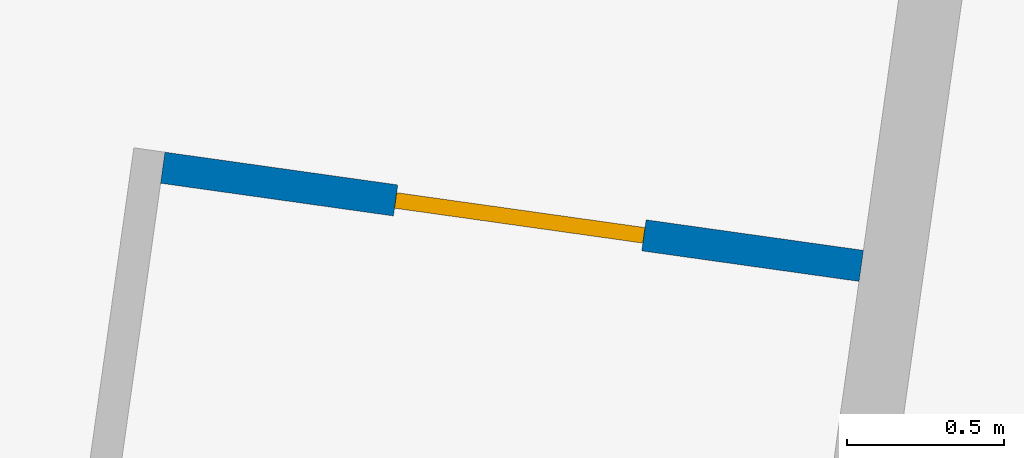
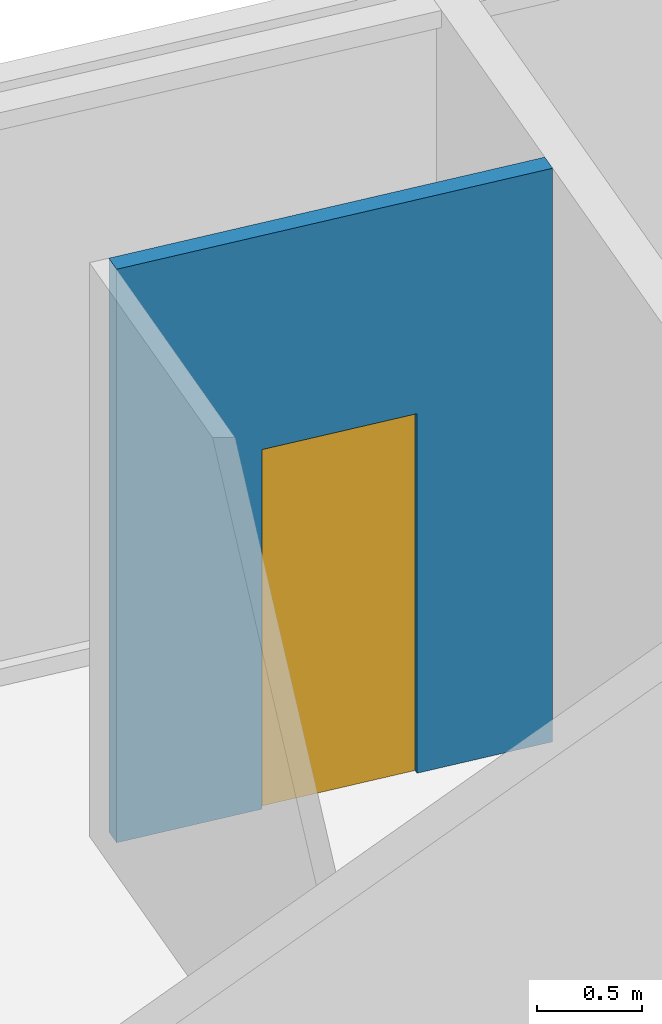
# One storey, part 18 of 25: 1 door, 1 wall, 1 opening.
"""IFC4 building model written with IfcOpenShell, lengths in metres."""

from ifc_helpers import new_model, si_unit, direction, frame, frame_2d, origin, place, context, subcontext, project, spatial, rectangle, extrude, material, layer, layer_set, type_object, element, fill, save


model = new_model("IFC4")

# Units and contexts
model_context = context("Model", 3, precision=1e-05, world=origin(), true_north=direction((0.0, 1.0)))
body_context = subcontext(model_context, "Body", "Model", "MODEL_VIEW")
ifc_project = project(units=[si_unit("LENGTHUNIT", "METRE"), si_unit("AREAUNIT", "SQUARE_METRE"), si_unit("VOLUMEUNIT", "CUBIC_METRE"), si_unit("PLANEANGLEUNIT", "RADIAN"), si_unit("MASSUNIT", "GRAM", prefix="KILO")], contexts=[model_context])

# Site, building, storey
site_placement = place(None, origin())
site = spatial("IfcSite", under=ifc_project, at=site_placement, CompositionType="ELEMENT")
building_placement = place(site_placement, origin())
building = spatial("IfcBuilding", under=site, at=building_placement, Name="Mirante Cascada Hotel Towers", CompositionType="ELEMENT")
storey_placement = place(building_placement, frame((0.0, 0.0, 58.5)))
storey = spatial("IfcBuildingStorey", under=building, at=storey_placement, Name="L11", CompositionType="ELEMENT", Elevation=58.5)

# Wall, opening, door
ifc_material_1 = material(Name="Plasterboard on metal studs")
ifc_layer = layer(ifc_material_1, 0.1)
ifc_layer_set = layer_set([ifc_layer], Name="Partition 100")
wall_type = type_object("IfcWallType", Name="Partition 100", PredefinedType="PARTITIONING", material=ifc_layer_set)
wall_placement = place(storey_placement, frame((-41.046, 17.1234, 0.0), z_axis=(0.0, 0.0, 1.0), x_axis=(-0.9902643, 0.1391997, 0.0)))
wall = element("IfcWall", 1, at=wall_placement, inside=storey, type_object=wall_type, Name="Wall 1-L11-28", PredefinedType="PARTITIONING", context=body_context, shape_type="SweptSolid", body=[
    extrude(rectangle(XDim=2.25, YDim=0.1, at=frame_2d((1.125, 0.0))), origin(), (0.0, 0.0, 1.0), 3.35),
])
opening_placement = place(wall_placement, frame((0.7, 0.0, 0.0)))
opening = element("IfcOpeningElement", 2, at=opening_placement, cuts=wall, Name="Opening D1-L11-23", PredefinedType="OPENING", context=body_context, shape_type="SweptSolid", body=[
    extrude(rectangle(XDim=0.8, YDim=2.1, at=frame_2d((0.4, 1.05))), frame((0.0, 0.05, 0.0), z_axis=(0.0, -1.0, 0.0), x_axis=(1.0, 0.0, 0.0)), (0.0, 0.0, 1.0), 0.1),
])
ifc_material_2 = material(Name="Timber door leaf", Category="wood")
door_type = type_object("IfcDoorType", Name="Bathroom door DG4 800x2100", OperationType="SINGLE_SWING_LEFT", PredefinedType="DOOR", material=ifc_material_2)
door_placement = place(opening_placement, origin())
door = element("IfcDoor", 3, at=door_placement, inside=storey, type_object=door_type, Name="Door D1-L11-23", OperationType="SINGLE_SWING_LEFT", OverallHeight=2.1, OverallWidth=0.8, PredefinedType="DOOR", context=body_context, shape_type="SweptSolid", body=[
    extrude(rectangle(XDim=0.8, YDim=2.1, at=frame_2d((0.4, 1.05))), frame((0.0, 0.025, 0.0), z_axis=(0.0, -1.0, 0.0), x_axis=(1.0, 0.0, 0.0)), (0.0, 0.0, 1.0), 0.05),
])
fill(opening, door)

save(model, "model.ifc")
